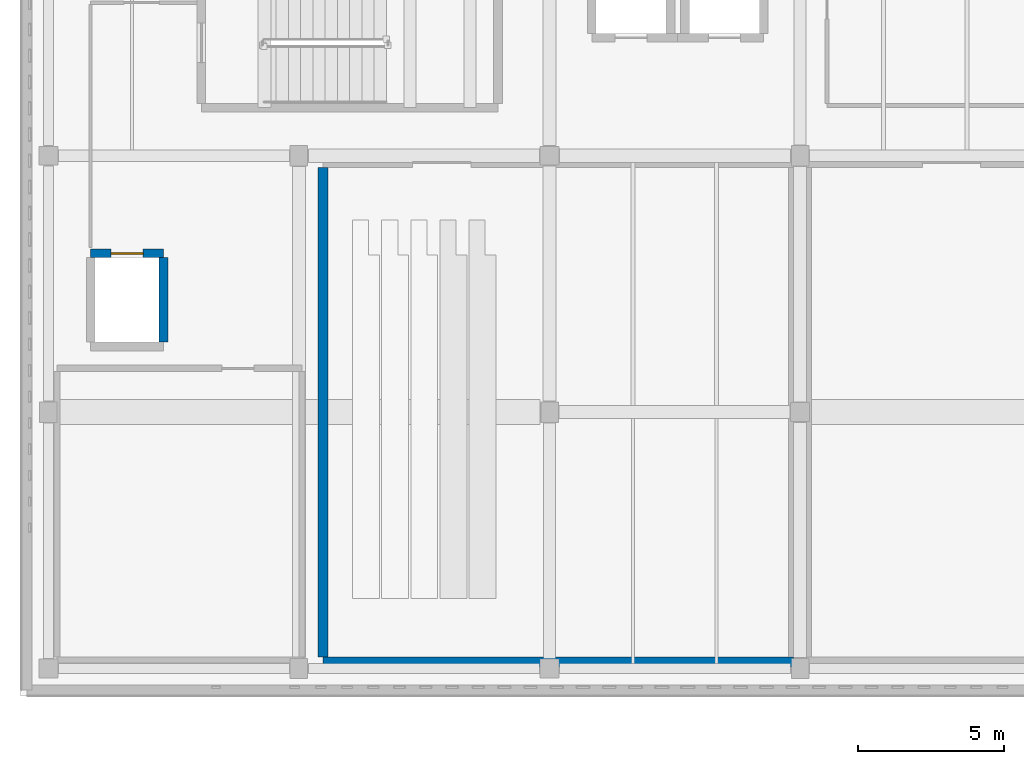
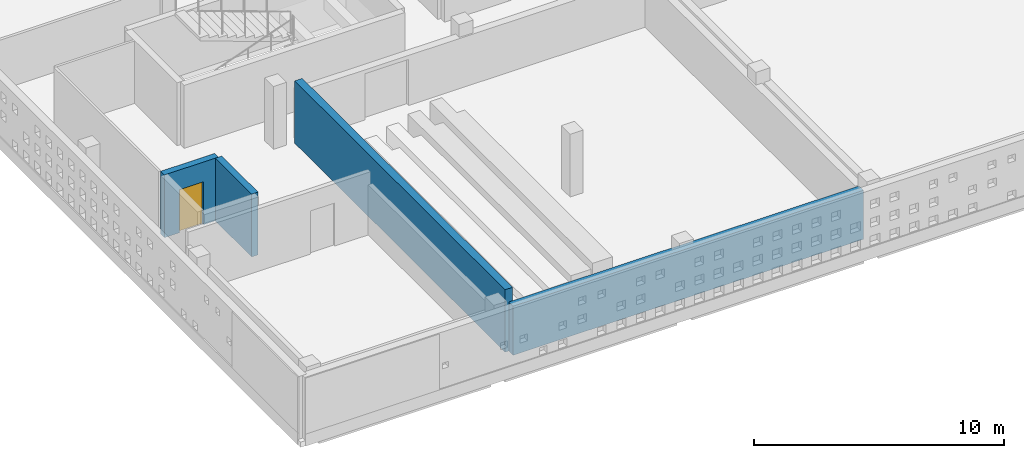
# One storey, part 21 of 34: 4 walls, 1 door, 1 opening.
"""IFC4 building model written with IfcOpenShell, lengths in metres."""

import ifcopenshell
import ifcopenshell.guid

model = None  # the IFC model being written
_history = None  # IfcOwnerHistory: only IFC2X3 demands one
_inside = {}  # id of a spatial element -> (the spatial element, [elements in it])
_under = {}  # id of a project, library or spatial element -> (it, [spatial elements below it])
_declared = {}  # id of a project -> (the project, [libraries it declares])
_typed = {}  # id of a type object -> (the type object, [elements of that type])
_made_of = {}  # id of a material, layer set ... -> (it, [elements and type objects made of it])


def new_model(schema):
    """Start an empty IFC model of exactly this schema.

    Asked for "IFC4X3", IfcOpenShell would pick the latest addendum, in which some entities
    have other attributes; the version numbers below select the first issue.
    IFC2X3 requires an IfcOwnerHistory on every rooted entity: one is made here for all.
    """
    global model, _history
    if schema == "IFC4X3":
        model = ifcopenshell.file(schema_version=(4, 3, 0, 0))
    else:
        model = ifcopenshell.file(schema=schema)
    _inside.clear()
    _under.clear()
    _declared.clear()
    _typed.clear()
    _made_of.clear()
    _history = None
    if model.schema == "IFC2X3":
        org = make("IfcOrganization", Name="unknown")
        user = make(
            "IfcPersonAndOrganization",
            ThePerson=make("IfcPerson", FamilyName="unknown"),
            TheOrganization=org,
        )
        app = make(
            "IfcApplication",
            ApplicationDeveloper=org,
            Version="unknown",
            ApplicationFullName="unknown",
            ApplicationIdentifier="unknown",
        )
        _history = make(
            "IfcOwnerHistory",
            OwningUser=user,
            OwningApplication=app,
            ChangeAction="ADDED",
            CreationDate=0,
        )
    return model


def make(cls, **values):
    """One entity of the class cls with the attributes given. An attribute that is None is left unset."""
    return model.create_entity(
        cls, **{name: value for name, value in values.items() if value is not None}
    )


def rooted(cls, **values):
    """An entity with a GlobalId (a new one), such as an element, a storey or a relation."""
    return make(cls, GlobalId=ifcopenshell.guid.new(), OwnerHistory=_history, **values)


def si_unit(unit_type, name, prefix=None):
    """IfcSIUnit, for example si_unit("LENGTHUNIT", "METRE", prefix="MILLI")."""
    return make("IfcSIUnit", UnitType=unit_type, Prefix=prefix, Name=name)


def assignment(units):
    """IfcUnitAssignment: the units of a project."""
    return None if units is None else make("IfcUnitAssignment", Units=units)


def point(xyz):
    """IfcCartesianPoint."""
    return None if xyz is None else make("IfcCartesianPoint", Coordinates=xyz)


def direction(xyz):
    """IfcDirection."""
    return None if xyz is None else make("IfcDirection", DirectionRatios=xyz)


def frame(location, z_axis=None, x_axis=None):
    """IfcAxis2Placement3D, a coordinate frame: its origin and axes. An axis left out is left unset."""
    return make(
        "IfcAxis2Placement3D",
        Location=point(location),
        Axis=direction(z_axis),
        RefDirection=direction(x_axis),
    )


def frame_2d(location, x_axis=None):
    """IfcAxis2Placement2D, a coordinate frame in the plane: its origin and x axis."""
    return make(
        "IfcAxis2Placement2D", Location=point(location), RefDirection=direction(x_axis)
    )


def origin():
    """The frame at (0, 0, 0) with its axes left unset."""
    return frame((0.0, 0.0, 0.0))


def place(relative_to, where):
    """IfcLocalPlacement: puts the frame where relative to a parent placement (None: the world)."""
    return make(
        "IfcLocalPlacement", PlacementRelTo=relative_to, RelativePlacement=where
    )


def context(
    kind, dimensions, precision=None, world=None, true_north=None, identifier=None
):
    """IfcGeometricRepresentationContext, for example the 3D "Model" context."""
    return make(
        "IfcGeometricRepresentationContext",
        ContextIdentifier=identifier,
        ContextType=kind,
        CoordinateSpaceDimension=dimensions,
        Precision=precision,
        WorldCoordinateSystem=world,
        TrueNorth=true_north,
    )


def subcontext(parent, identifier, kind, view, scale=None):
    """IfcGeometricRepresentationSubContext, for example "Body" below "Model"."""
    return make(
        "IfcGeometricRepresentationSubContext",
        ContextIdentifier=identifier,
        ContextType=kind,
        ParentContext=parent,
        TargetScale=scale,
        TargetView=view,
    )


def project(units=None, contexts=None):
    """IfcProject with its units and contexts."""
    return rooted(
        "IfcProject",
        Name="project",
        RepresentationContexts=contexts,
        UnitsInContext=assignment(units),
    )


def spatial(cls, under=None, at=None, **own):
    """A site, building, storey or space (cls), placed at a placement, below another one or the project."""
    s = rooted(cls, ObjectPlacement=at, **own)
    if under is not None:
        _under.setdefault(under.id(), (under, []))[1].append(s)
    return s


def profile(cls, at=None, kind="AREA", **sizes):
    """A parametric profile (cls). Its sizes go by their IFC names, for example OverallWidth=200.0."""
    return make(cls, ProfileType=kind, Position=at, **sizes)


def rectangle(**sizes):
    """IfcRectangleProfileDef."""
    return profile("IfcRectangleProfileDef", **sizes)


def extrude(swept, where, along, depth):
    """IfcExtrudedAreaSolid: the profile swept, set in the frame where, extruded along a direction by depth."""
    return make(
        "IfcExtrudedAreaSolid",
        SweptArea=swept,
        Position=where,
        ExtrudedDirection=direction(along),
        Depth=depth,
    )


def shape(context_of_items, identifier, shape_type, items):
    """IfcShapeRepresentation: the items that make up one representation, for example the "Body"."""
    return make(
        "IfcShapeRepresentation",
        ContextOfItems=context_of_items,
        RepresentationIdentifier=identifier,
        RepresentationType=shape_type,
        Items=items,
    )


def material(Name=None, Category=None):
    """IfcMaterial."""
    return make("IfcMaterial", Name=Name, Category=Category)


def layer(
    of_material, thickness, ventilated=None, Name=None, Category=None, Priority=None
):
    """IfcMaterialLayer: one layer of a wall or slab, of a material (None: an air gap)."""
    return make(
        "IfcMaterialLayer",
        Material=of_material,
        LayerThickness=thickness,
        IsVentilated=ventilated,
        Name=Name,
        Category=Category,
        Priority=Priority,
    )


def layer_set(layers, Name=None):
    """IfcMaterialLayerSet."""
    return make("IfcMaterialLayerSet", MaterialLayers=layers, LayerSetName=Name)


def made_of(thing, what):
    """Note that an element or type object is made of a material, layer set ...; save() writes the relation."""
    if what is not None:
        _made_of.setdefault(what.id(), (what, []))[1].append(thing)
    return thing


def type_object(cls, material=None, **own):
    """A type object (cls), such as IfcWallType, which elements share."""
    return made_of(rooted(cls, **own), material)


def element(
    cls,
    number,
    at=None,
    inside=None,
    cuts=None,
    type_object=None,
    material=None,
    context=None,
    identifier="Body",
    shape_type=None,
    held_by="IfcProductDefinitionShape",
    body=None,
    shapes=None,
    **own,
):
    """One element of the class cls, such as IfcWall. Its Tag is "e" and its number.

    at: its placement. inside: the storey or other place that contains it. cuts: it is an
    opening in that element (IfcRelVoidsElement). A single representation is given by context,
    identifier, shape_type and body (its items); several are given by shapes. held_by: the class
    of the entity that holds the representations. save() writes the other relations.
    """
    e = rooted(cls, Tag="e%d" % number, ObjectPlacement=at, **own)
    if body is not None:
        shapes = [shape(context, identifier, shape_type, body)]
    if shapes is not None:
        e.Representation = make(held_by, Representations=shapes)
    if inside is not None:
        _inside.setdefault(inside.id(), (inside, []))[1].append(e)
    if cuts is not None:
        rooted(
            "IfcRelVoidsElement", RelatingBuildingElement=cuts, RelatedOpeningElement=e
        )
    if type_object is not None:
        _typed.setdefault(type_object.id(), (type_object, []))[1].append(e)
    return made_of(e, material)


def fill(opening, filler):
    """IfcRelFillsElement: the door or window that sits in an opening."""
    return rooted(
        "IfcRelFillsElement",
        RelatingOpeningElement=opening,
        RelatedBuildingElement=filler,
    )


def aggregate(whole, parts):
    """IfcRelAggregates: a whole, such as a stair, and the parts it consists of."""
    return rooted("IfcRelAggregates", RelatingObject=whole, RelatedObjects=parts)


def save(model, path):
    """Write the relations noted so far, then the file.

    IfcRelAggregates (storeys below a building ...), IfcRelContainedInSpatialStructure (elements
    in a storey), IfcRelDefinesByType, IfcRelAssociatesMaterial and IfcRelDeclares: one each for
    every whole, place, type object, material and project.
    """
    for whole, parts in _under.values():
        aggregate(whole, parts)
    for where, things in _inside.values():
        rooted(
            "IfcRelContainedInSpatialStructure",
            RelatedElements=things,
            RelatingStructure=where,
        )
    for kind, things in _typed.values():
        rooted("IfcRelDefinesByType", RelatedObjects=things, RelatingType=kind)
    for what, things in _made_of.values():
        rooted("IfcRelAssociatesMaterial", RelatedObjects=things, RelatingMaterial=what)
    for by, libraries in _declared.values():
        rooted("IfcRelDeclares", RelatingContext=by, RelatedDefinitions=libraries)
    model.write(path)


model = new_model("IFC4")

# Units and contexts
model_context = context("Model", 3, precision=1e-05, world=origin(), true_north=direction((0.0, 1.0)))
body_context = subcontext(model_context, "Body", "Model", "MODEL_VIEW")
ifc_project = project(units=[si_unit("LENGTHUNIT", "METRE"), si_unit("AREAUNIT", "SQUARE_METRE"), si_unit("VOLUMEUNIT", "CUBIC_METRE"), si_unit("PLANEANGLEUNIT", "RADIAN"), si_unit("MASSUNIT", "GRAM", prefix="KILO")], contexts=[model_context])

# Site, building, storey
site_placement = place(None, origin())
site = spatial("IfcSite", under=ifc_project, at=site_placement, CompositionType="ELEMENT")
building_placement = place(site_placement, origin())
building = spatial("IfcBuilding", under=site, at=building_placement, Name="Varnakota Cinema and Media Centre", CompositionType="ELEMENT")
storey_placement = place(building_placement, frame((0.0, 0.0, 19.050048828125)))
storey = spatial("IfcBuildingStorey", under=building, at=storey_placement, Name="L05", CompositionType="ELEMENT", Elevation=19.050048828125)

# Wall, opening, door
ifc_material_1 = material(Name="Concrete M40", Category="concrete")
ifc_layer_1 = layer(ifc_material_1, 0.300048828125)
ifc_layer_set_1 = layer_set([ifc_layer_1], Name="Concrete M40")
wall_type_1 = type_object("IfcWallType", Name="W-CORE-300", PredefinedType="SHEAR", material=ifc_layer_set_1)
wall_1_placement = place(storey_placement, frame((1.449951171875, 14.25, 0.0), z_axis=(0.0, 0.0, 1.0), x_axis=(1.0, 0.0, 0.0)))
wall_1 = element("IfcWall", 1, at=wall_1_placement, inside=storey, type_object=wall_type_1, Name="L05 LSHAFT-LF-01-L05 N wall", PredefinedType="SHEAR", context=body_context, shape_type="SweptSolid", body=[
    extrude(rectangle(XDim=2.5, YDim=0.300048828125, at=frame_2d((1.25, 0.0))), origin(), (0.0, 0.0, 1.0), 3.06005859375),
])
opening_placement = place(wall_1_placement, frame((0.699951171875, 0.0, 0.0)))
opening = element("IfcOpeningElement", 2, at=opening_placement, cuts=wall_1, Name="Opening LD-01", PredefinedType="OPENING", context=body_context, shape_type="SweptSolid", body=[
    extrude(rectangle(XDim=1.10009765625, YDim=2.10009765625, at=frame_2d((0.550048828125, 1.050048828125))), frame((0.0, 0.14990234375, 0.0), z_axis=(0.0, -1.0, 0.0), x_axis=(1.0, 0.0, 0.0)), (0.0, 0.0, 1.0), 0.300048828125),
])
ifc_material_2 = material(Name="Thermally broken anodised aluminium AW-6063", Category="aluminium")
door_type = type_object("IfcDoorType", Name="DR-LIFT-1100x2100", OperationType="SLIDING_TO_LEFT", PredefinedType="DOOR", material=ifc_material_2)
door_placement = place(opening_placement, origin())
door = element("IfcDoor", 3, at=door_placement, inside=storey, type_object=door_type, Name="L05 door LD-01", OperationType="SLIDING_TO_LEFT", OverallHeight=2.10009765625, OverallWidth=1.10009765625, PredefinedType="DOOR", context=body_context, shape_type="SweptSolid", body=[
    extrude(rectangle(XDim=1.10009765625, YDim=2.10009765625, at=frame_2d((0.550048828125, 1.050048828125))), frame((0.0, 0.02490234375, 0.0), z_axis=(0.0, -1.0, 0.0), x_axis=(1.0, 0.0, 0.0)), (0.0, 0.0, 1.0), 0.050048828125),
])
fill(opening, door)

# Walls
wall_2_placement = place(storey_placement, frame((3.949951171875, 14.10009765625, 0.0), z_axis=(0.0, 0.0, 1.0), x_axis=(0.0, -1.0, 0.0)))
element("IfcWall", 4, at=wall_2_placement, inside=storey, type_object=wall_type_1, Name="L05 LSHAFT-LF-01-L05 E wall", PredefinedType="SHEAR", context=body_context, shape_type="SweptSolid", body=[
    extrude(rectangle(XDim=2.900146484375, YDim=0.300048828125, at=frame_2d((1.4501953125, 0.0))), origin(), (0.0, 0.0, 1.0), 3.06005859375),
])
ifc_material_3 = material(Name="Concrete M40", Category="concrete")
ifc_layer_2 = layer(ifc_material_3, 0.35009765625)
ifc_layer_set_2 = layer_set([ifc_layer_2], Name="Concrete M40")
wall_type_2 = type_object("IfcWallType", Name="W-SEP-350", PredefinedType="SOLIDWALL", material=ifc_layer_set_2)
wall_3_placement = place(storey_placement, frame((25.574951171875, 0.22509765625, 0.0), z_axis=(0.0, 0.0, 1.0), x_axis=(-1.0, 0.0, 0.0)))
element("IfcWall", 5, at=wall_3_placement, inside=storey, type_object=wall_type_2, Name="L05 RWALL-RM-L05-SCR6 S wall", PredefinedType="SOLIDWALL", context=body_context, shape_type="SweptSolid", body=[
    extrude(rectangle(XDim=16.14990234375, YDim=0.35009765625, at=frame_2d((8.074951171875, 0.0))), origin(), (0.0, 0.0, 1.0), 2.389892578125),
])
wall_4_placement = place(storey_placement, frame((9.425048828125, 0.39990234375, 0.0), z_axis=(0.0, 0.0, 1.0), x_axis=(0.0, 1.0, 0.0)))
element("IfcWall", 6, at=wall_4_placement, inside=storey, type_object=wall_type_2, Name="L05 RWALL-RM-L05-SCR6 W wall", PredefinedType="SOLIDWALL", context=body_context, shape_type="SweptSolid", body=[
    extrude(rectangle(XDim=16.800048828125, YDim=0.35009765625, at=frame_2d((8.39990234375, 0.0))), origin(), (0.0, 0.0, 1.0), 3.0400390625),
])

save(model, "model.ifc")
